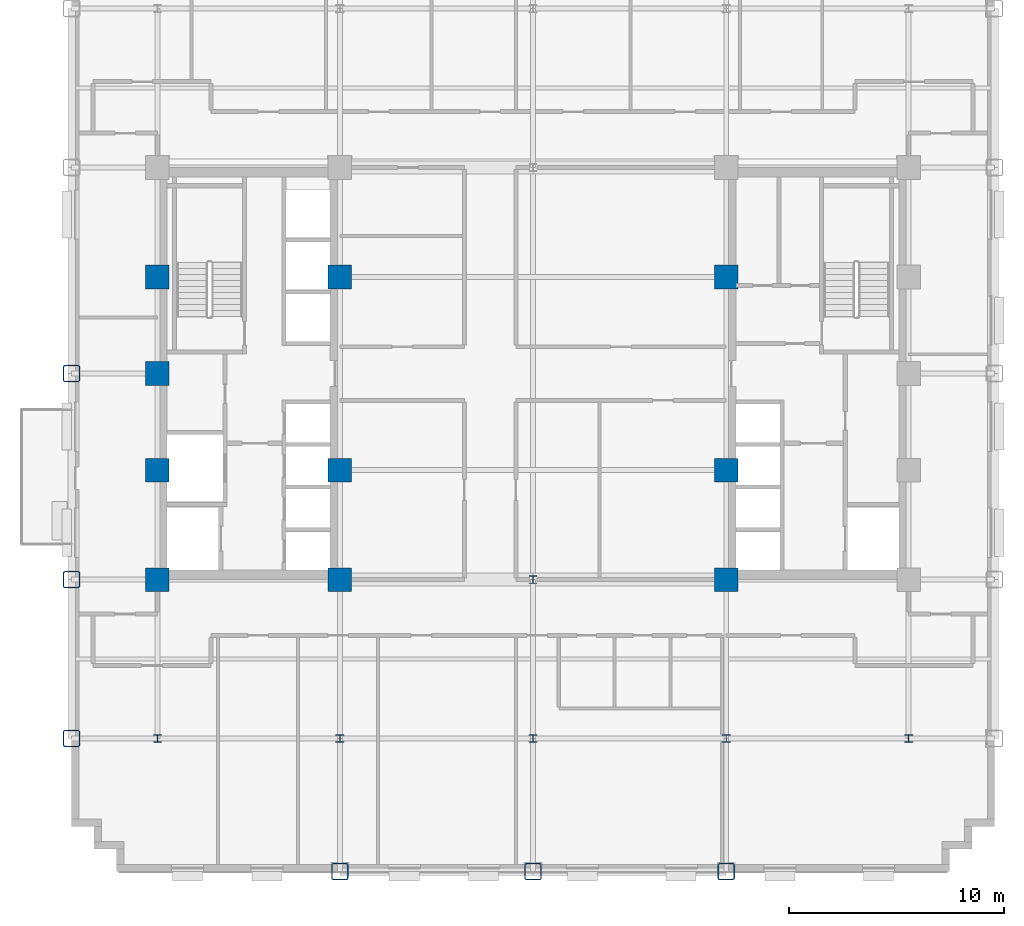
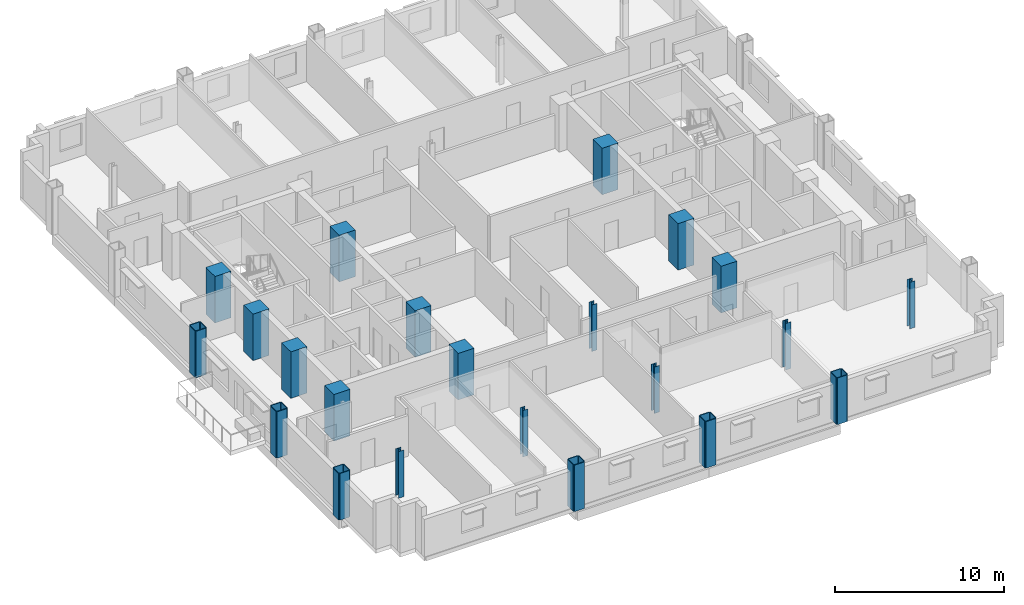
# One storey, part 1 of 14: 22 columns.
"""IFC4 building model written with IfcOpenShell, lengths in metres."""

from ifc_helpers import new_model, si_unit, direction, frame, origin, origin_2d, place, context, subcontext, project, spatial, rectangle, hollow_rectangle, i_section, extrude, material, material_profile, profile_set, type_object, element, save


model = new_model("IFC4")

# Units and contexts
model_context = context("Model", 3, precision=1e-05, world=origin(), true_north=direction((0.0, 1.0)))
body_context = subcontext(model_context, "Body", "Model", "MODEL_VIEW")
ifc_project = project(units=[si_unit("LENGTHUNIT", "METRE"), si_unit("AREAUNIT", "SQUARE_METRE"), si_unit("VOLUMEUNIT", "CUBIC_METRE"), si_unit("PLANEANGLEUNIT", "RADIAN"), si_unit("MASSUNIT", "GRAM", prefix="KILO")], contexts=[model_context])

# Site, building, storey
site_placement = place(None, origin())
site = spatial("IfcSite", under=ifc_project, at=site_placement, CompositionType="ELEMENT")
building_placement = place(site_placement, origin())
building = spatial("IfcBuilding", under=site, at=building_placement, Name="Nuvemarco Arch Tower", CompositionType="ELEMENT")
storey_placement = place(building_placement, frame((0.0, 0.0, 60.449951171875)))
storey = spatial("IfcBuildingStorey", under=building, at=storey_placement, Name="L15", CompositionType="ELEMENT", Elevation=60.449951171875)

# Columns
ifc_material_1 = material(Name="Concrete C60/75", Category="concrete")
ifc_material_profile_1 = material_profile(ifc_material_1, rectangle(XDim=1.10009765625, YDim=1.10009765625, at=origin_2d()), Name="RC-COL-1100x1100")
ifc_profile_set_1 = profile_set([ifc_material_profile_1], Name="Concrete C60/75")
column_type_1 = type_object("IfcColumnType", Name="COL-CORE-1100", PredefinedType="COLUMN", material=ifc_profile_set_1)
for number, where, z_axis, x_axis, name in (
    (1, (-17.5, -9.60009765625, 0.0), (0.0, 0.0, 1.0), (1.0, 0.0, 0.0), "L15 column CC_-17.5_-9.6"),
    (2, (-17.5, -4.5, 0.0), (0.0, 0.0, 1.0), (1.0, 0.0, 0.0), "L15 column CC_-17.5_-4.5"),
    (3, (-17.5, 4.5, 0.0), (0.0, 0.0, 1.0), (1.0, 0.0, 0.0), "L15 column CC_-17.5_+4.5"),
    (4, (-9.0, -9.60009765625, 0.0), (0.0, 0.0, 1.0), (1.0, 0.0, 0.0), "L15 column CC_-9.0_-9.6"),
    (5, (-9.0, -4.5, 0.0), (0.0, 0.0, 1.0), (1.0, 0.0, 0.0), "L15 column CC_-9.0_-4.5"),
    (6, (-9.0, 4.5, 0.0), (0.0, 0.0, 1.0), (1.0, 0.0, 0.0), "L15 column CC_-9.0_+4.5"),
    (7, (9.0, -9.60009765625, 0.0), (0.0, 0.0, 1.0), (1.0, 0.0, 0.0), "L15 column CC_+9.0_-9.6"),
    (8, (9.0, -4.5, 0.0), (0.0, 0.0, 1.0), (1.0, 0.0, 0.0), "L15 column CC_+9.0_-4.5"),
    (9, (9.0, 4.5, 0.0), (0.0, 0.0, 1.0), (1.0, 0.0, 0.0), "L15 column CC_+9.0_+4.5"),
    (10, (-17.5, 0.0, 0.0), (0.0, 0.0, 1.0), (1.0, 0.0, 0.0), "L15 column CC_-17.5_+0.0"),
):
    element("IfcColumn", number, at=place(storey_placement, frame(where, z_axis=z_axis, x_axis=x_axis)), inside=storey, type_object=column_type_1, Name=name, PredefinedType="COLUMN", context=body_context, shape_type="SweptSolid", body=[
        extrude(rectangle(XDim=1.10009765625, YDim=1.10009765625, at=origin_2d()), origin(), (0.0, 0.0, 1.0), 3.3701171875),
    ])
ifc_material_2 = material(Name="Steel S460", Category="steel")
ifc_material_profile_2 = material_profile(ifc_material_2, hollow_rectangle(XDim=0.800048828125, YDim=0.800048828125, WallThickness=0.054931640625, InnerFilletRadius=0.054931640625, OuterFilletRadius=0.110107421875, at=origin_2d()), Name="SHS800x800x55")
ifc_profile_set_2 = profile_set([ifc_material_profile_2], Name="Steel S460")
column_type_2 = type_object("IfcColumnType", Name="COL-EXO-800", PredefinedType="COLUMN", material=ifc_profile_set_2)
for number, where, z_axis, x_axis, name in (
    (11, (-21.5, -17.0, 0.0), (0.0, 0.0, 1.0), (1.0, 0.0, 0.0), "L15 column CX_-21.5_-17.0"),
    (12, (-21.5, -9.60009765625, 0.0), (0.0, 0.0, 1.0), (1.0, 0.0, 0.0), "L15 column CX_-21.5_-9.6"),
    (13, (-21.5, 0.0, 0.0), (0.0, 0.0, 1.0), (1.0, 0.0, 0.0), "L15 column CX_-21.5_+0.0"),
    (14, (-9.0, -23.199951171875, 0.0), (0.0, 0.0, 1.0), (1.0, 0.0, 0.0), "L15 column CY_-9.0_-23.2"),
    (15, (0.0, -23.199951171875, 0.0), (0.0, 0.0, 1.0), (1.0, 0.0, 0.0), "L15 column CY_+0.0_-23.2"),
    (16, (9.0, -23.199951171875, 0.0), (0.0, 0.0, 1.0), (1.0, 0.0, 0.0), "L15 column CY_+9.0_-23.2"),
):
    element("IfcColumn", number, at=place(storey_placement, frame(where, z_axis=z_axis, x_axis=x_axis)), inside=storey, type_object=column_type_2, Name=name, PredefinedType="COLUMN", context=body_context, shape_type="SweptSolid", body=[
        extrude(hollow_rectangle(XDim=0.800048828125, YDim=0.800048828125, WallThickness=0.054931640625, InnerFilletRadius=0.054931640625, OuterFilletRadius=0.110107421875, at=origin_2d()), origin(), (0.0, 0.0, 1.0), 3.3701171875),
    ])
ifc_material_3 = material(Name="Steel S355", Category="steel")
ifc_material_profile_3 = material_profile(ifc_material_3, i_section(OverallWidth=0.360107421875, OverallDepth=0.360107421875, WebThickness=0.0205078125, FlangeThickness=0.0205078125, FilletRadius=0.01806640625, at=origin_2d()), Name="HP360x174")
ifc_profile_set_3 = profile_set([ifc_material_profile_3], Name="Steel S355")
column_type_3 = type_object("IfcColumnType", Name="COL-STL-HP360", PredefinedType="COLUMN", material=ifc_profile_set_3)
for number, where, z_axis, x_axis, name in (
    (17, (0.0, -17.0, 0.0), (0.0, 0.0, 1.0), (1.0, 0.0, 0.0), "L15 column CI_+0.0_-17.0"),
    (18, (0.0, -9.60009765625, 0.0), (0.0, 0.0, 1.0), (1.0, 0.0, 0.0), "L15 column CI_+0.0_-9.6"),
    (19, (-17.5, -17.0, 0.0), (0.0, 0.0, 1.0), (1.0, 0.0, 0.0), "L15 column CI_-17.5_-17.0"),
    (20, (-9.0, -17.0, 0.0), (0.0, 0.0, 1.0), (1.0, 0.0, 0.0), "L15 column CI_-9.0_-17.0"),
    (21, (9.0, -17.0, 0.0), (0.0, 0.0, 1.0), (1.0, 0.0, 0.0), "L15 column CI_+9.0_-17.0"),
    (22, (17.5, -17.0, 0.0), (0.0, 0.0, 1.0), (1.0, 0.0, 0.0), "L15 column CI_+17.5_-17.0"),
):
    element("IfcColumn", number, at=place(storey_placement, frame(where, z_axis=z_axis, x_axis=x_axis)), inside=storey, type_object=column_type_3, Name=name, PredefinedType="COLUMN", context=body_context, shape_type="SweptSolid", body=[
        extrude(i_section(OverallWidth=0.360107421875, OverallDepth=0.360107421875, WebThickness=0.0205078125, FlangeThickness=0.0205078125, FilletRadius=0.01806640625, at=origin_2d()), origin(), (0.0, 0.0, 1.0), 3.3701171875),
    ])

save(model, "model.ifc")
